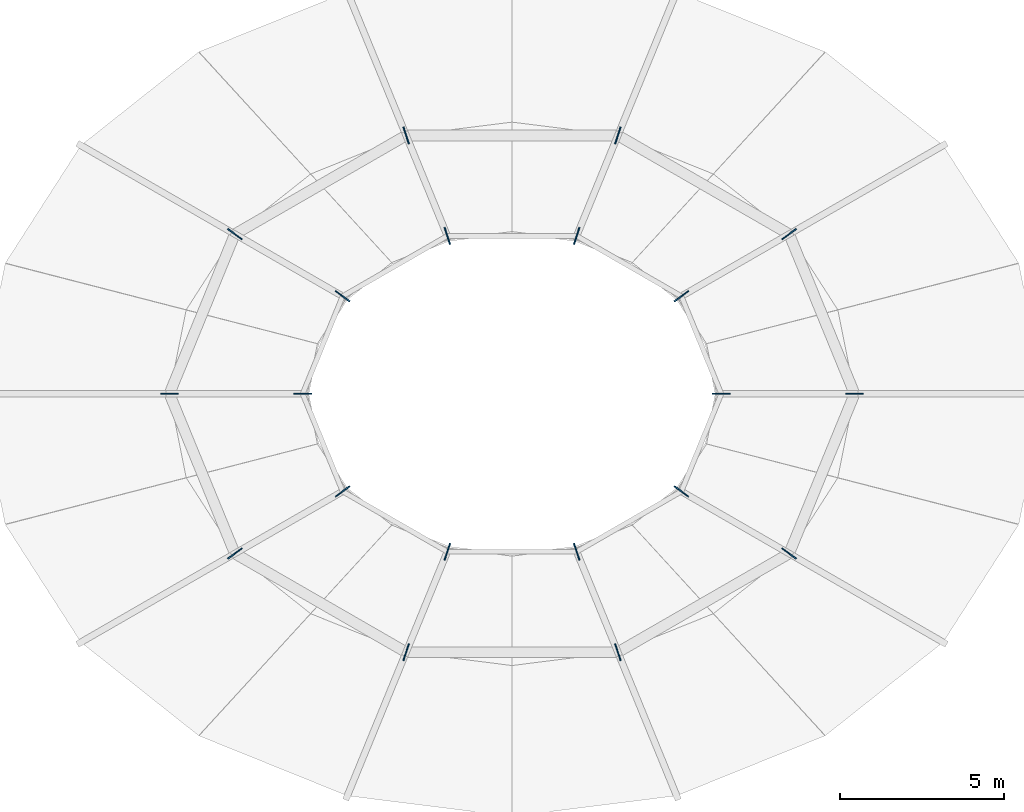
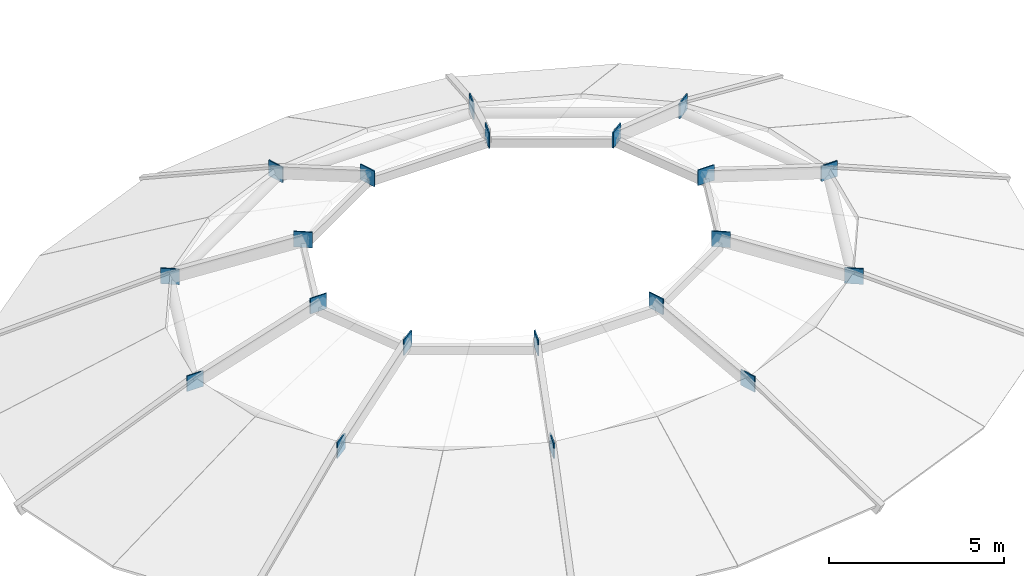
# One storey, part 13 of 34: 20 plates.
"""IFC4 building model written with IfcOpenShell, lengths in metres."""

from ifc_helpers import new_model, si_unit, direction, frame, origin, origin_2d, place, context, subcontext, project, spatial, rectangle, extrude, material, layer, layer_set, type_object, element, save


model = new_model("IFC4")

# Units and contexts
model_context = context("Model", 3, precision=1e-05, world=origin(), true_north=direction((0.0, 1.0)))
body_context = subcontext(model_context, "Body", "Model", "MODEL_VIEW")
ifc_project = project(units=[si_unit("LENGTHUNIT", "METRE"), si_unit("AREAUNIT", "SQUARE_METRE"), si_unit("VOLUMEUNIT", "CUBIC_METRE"), si_unit("PLANEANGLEUNIT", "RADIAN"), si_unit("MASSUNIT", "GRAM", prefix="KILO")], contexts=[model_context])

# Site, building, storey
site_placement = place(None, origin())
site = spatial("IfcSite", under=ifc_project, at=site_placement, CompositionType="ELEMENT")
building_placement = place(site_placement, origin())
building = spatial("IfcBuilding", under=site, at=building_placement, Name="Sollismere Congress Hotel", CompositionType="ELEMENT")
storey_placement = place(building_placement, frame((0.0, 0.0, 23.39990234375)))
storey = spatial("IfcBuildingStorey", under=building, at=storey_placement, Name="L05", CompositionType="ELEMENT", Elevation=23.39990234375)

# Plates
ifc_material = material(Name="Steel ASTM A572 Grade 50", Category="steel")
ifc_layer = layer(ifc_material, 0.0400390625, Name="Steel ASTM A572 Grade 50")
ifc_layer_set = layer_set([ifc_layer], Name="Steel ASTM A572 Grade 50")
plate_type = type_object("IfcPlateType", Name="PL-GS40", PredefinedType="USERDEFINED", material=ifc_layer_set)
for number, where, z_axis, x_axis, name in (
    (1, (39.43994140625, 90.39990234375, 2.050048828125), (0.0, 0.0, 1.0), (1.0, 0.0, 0.0), "Dome ring gusset plate 3-01"),
    (2, (37.446044921875, 95.266845703125, 2.050048828125), (0.0, 0.0, 1.0), (0.809016994375, 0.587785252292, 0.0), "Dome ring gusset plate 3-02"),
    (3, (32.22607421875, 98.274658203125, 2.050048828125), (0.0, 0.0, 1.0), (0.309016994375, 0.951056516295, 0.0), "Dome ring gusset plate 3-03"),
    (4, (25.77392578125, 98.274658203125, 2.050048828125), (0.0, 0.0, 1.0), (-0.309016994375, 0.951056516295, 0.0), "Dome ring gusset plate 3-04"),
    (5, (20.553955078125, 95.266845703125, 2.050048828125), (0.0, 0.0, 1.0), (-0.809016994375, 0.587785252292, 0.0), "Dome ring gusset plate 3-05"),
    (6, (18.56005859375, 90.39990234375, 2.050048828125), (0.0, 0.0, 1.0), (-1.0, 0.0, 0.0), "Dome ring gusset plate 3-06"),
    (7, (20.553955078125, 85.533203125, 2.050048828125), (0.0, 0.0, 1.0), (-0.809016994375, -0.587785252292, 0.0), "Dome ring gusset plate 3-07"),
    (8, (25.77392578125, 82.525146484375, 2.050048828125), (0.0, 0.0, 1.0), (-0.309016994375, -0.951056516295, 0.0), "Dome ring gusset plate 3-08"),
    (9, (32.22607421875, 82.525146484375, 2.050048828125), (0.0, 0.0, 1.0), (0.309016994375, -0.951056516295, 0.0), "Dome ring gusset plate 3-09"),
    (10, (37.446044921875, 85.533203125, 2.050048828125), (0.0, 0.0, 1.0), (0.809016994375, -0.587785252292, 0.0), "Dome ring gusset plate 3-10"),
    (11, (35.3798828125, 90.39990234375, 3.330078125), (0.0, 0.0, 1.0), (1.0, 0.0, 0.0), "Dome ring gusset plate 4-01"),
    (12, (34.16162109375, 93.374267578125, 3.330078125), (0.0, 0.0, 1.0), (0.809016994375, 0.587785252292, 0.0), "Dome ring gusset plate 4-02"),
    (13, (30.971435546875, 95.21240234375, 3.330078125), (0.0, 0.0, 1.0), (0.309016994375, 0.951056516295, 0.0), "Dome ring gusset plate 4-03"),
    (14, (27.028564453125, 95.21240234375, 3.330078125), (0.0, 0.0, 1.0), (-0.309016994375, 0.951056516295, 0.0), "Dome ring gusset plate 4-04"),
    (15, (23.83837890625, 93.374267578125, 3.330078125), (0.0, 0.0, 1.0), (-0.809016994375, 0.587785252292, 0.0), "Dome ring gusset plate 4-05"),
    (16, (22.6201171875, 90.39990234375, 3.330078125), (0.0, 0.0, 1.0), (-1.0, 0.0, 0.0), "Dome ring gusset plate 4-06"),
    (17, (23.83837890625, 87.42578125, 3.330078125), (0.0, 0.0, 1.0), (-0.809016994375, -0.587785252292, 0.0), "Dome ring gusset plate 4-07"),
    (18, (27.028564453125, 85.587646484375, 3.330078125), (0.0, 0.0, 1.0), (-0.309016994375, -0.951056516295, 0.0), "Dome ring gusset plate 4-08"),
    (19, (30.971435546875, 85.587646484375, 3.330078125), (0.0, 0.0, 1.0), (0.309016994375, -0.951056516295, 0.0), "Dome ring gusset plate 4-09"),
    (20, (34.16162109375, 87.42578125, 3.330078125), (0.0, 0.0, 1.0), (0.809016994375, -0.587785252292, 0.0), "Dome ring gusset plate 4-10"),
):
    element("IfcPlate", number, at=place(storey_placement, frame(where, z_axis=z_axis, x_axis=x_axis)), inside=storey, type_object=plate_type, Name=name, ObjectType="GUSSET PLATE", PredefinedType="USERDEFINED", context=body_context, shape_type="SweptSolid", body=[
        extrude(rectangle(XDim=0.5400390625, YDim=0.0400390625, at=origin_2d()), origin(), (0.0, 0.0, 1.0), 0.5400390625),
    ])

save(model, "model.ifc")
